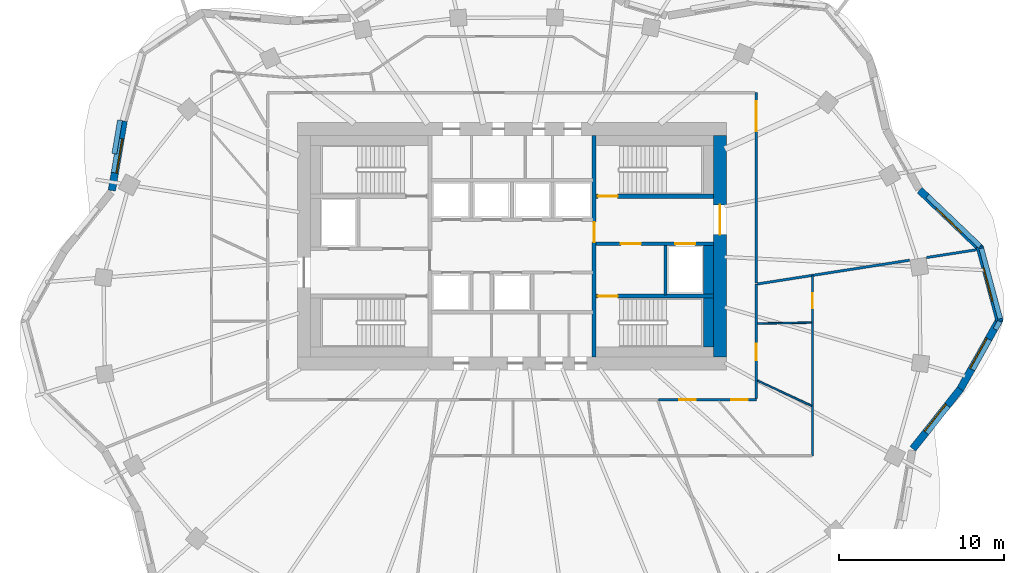
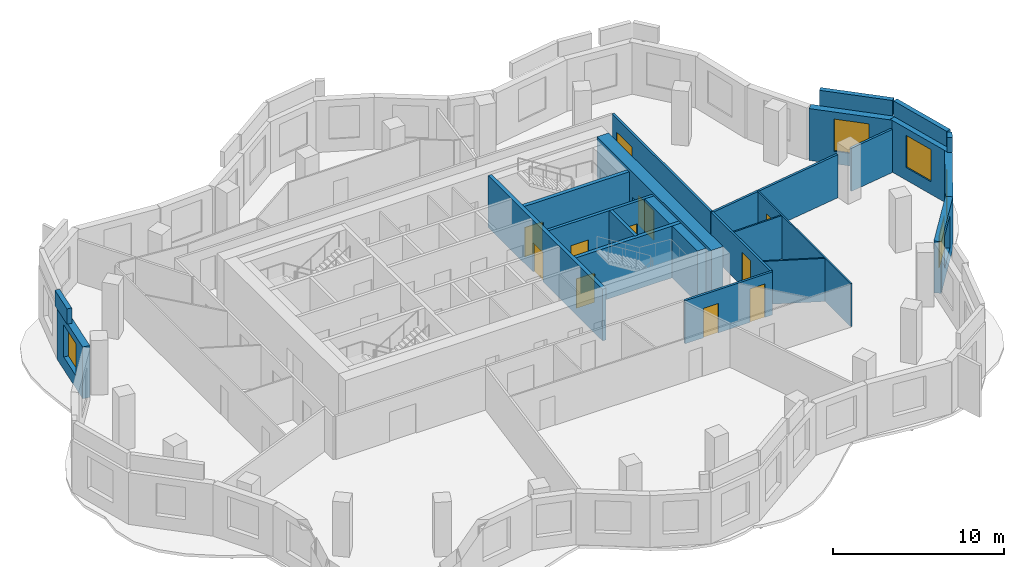
# One storey, part 6 of 9: 25 walls, 11 doors, 5 windows, 16 openings.
"""IFC4 building model written with IfcOpenShell, lengths in metres."""

import ifcopenshell
import ifcopenshell.guid

model = None  # the IFC model being written
_history = None  # IfcOwnerHistory: only IFC2X3 demands one
_inside = {}  # id of a spatial element -> (the spatial element, [elements in it])
_under = {}  # id of a project, library or spatial element -> (it, [spatial elements below it])
_declared = {}  # id of a project -> (the project, [libraries it declares])
_typed = {}  # id of a type object -> (the type object, [elements of that type])
_made_of = {}  # id of a material, layer set ... -> (it, [elements and type objects made of it])


def new_model(schema):
    """Start an empty IFC model of exactly this schema.

    Asked for "IFC4X3", IfcOpenShell would pick the latest addendum, in which some entities
    have other attributes; the version numbers below select the first issue.
    IFC2X3 requires an IfcOwnerHistory on every rooted entity: one is made here for all.
    """
    global model, _history
    if schema == "IFC4X3":
        model = ifcopenshell.file(schema_version=(4, 3, 0, 0))
    else:
        model = ifcopenshell.file(schema=schema)
    _inside.clear()
    _under.clear()
    _declared.clear()
    _typed.clear()
    _made_of.clear()
    _history = None
    if model.schema == "IFC2X3":
        org = make("IfcOrganization", Name="unknown")
        user = make(
            "IfcPersonAndOrganization",
            ThePerson=make("IfcPerson", FamilyName="unknown"),
            TheOrganization=org,
        )
        app = make(
            "IfcApplication",
            ApplicationDeveloper=org,
            Version="unknown",
            ApplicationFullName="unknown",
            ApplicationIdentifier="unknown",
        )
        _history = make(
            "IfcOwnerHistory",
            OwningUser=user,
            OwningApplication=app,
            ChangeAction="ADDED",
            CreationDate=0,
        )
    return model


def make(cls, **values):
    """One entity of the class cls with the attributes given. An attribute that is None is left unset."""
    return model.create_entity(
        cls, **{name: value for name, value in values.items() if value is not None}
    )


def rooted(cls, **values):
    """An entity with a GlobalId (a new one), such as an element, a storey or a relation."""
    return make(cls, GlobalId=ifcopenshell.guid.new(), OwnerHistory=_history, **values)


def si_unit(unit_type, name, prefix=None):
    """IfcSIUnit, for example si_unit("LENGTHUNIT", "METRE", prefix="MILLI")."""
    return make("IfcSIUnit", UnitType=unit_type, Prefix=prefix, Name=name)


def assignment(units):
    """IfcUnitAssignment: the units of a project."""
    return None if units is None else make("IfcUnitAssignment", Units=units)


def point(xyz):
    """IfcCartesianPoint."""
    return None if xyz is None else make("IfcCartesianPoint", Coordinates=xyz)


def direction(xyz):
    """IfcDirection."""
    return None if xyz is None else make("IfcDirection", DirectionRatios=xyz)


def frame(location, z_axis=None, x_axis=None):
    """IfcAxis2Placement3D, a coordinate frame: its origin and axes. An axis left out is left unset."""
    return make(
        "IfcAxis2Placement3D",
        Location=point(location),
        Axis=direction(z_axis),
        RefDirection=direction(x_axis),
    )


def frame_2d(location, x_axis=None):
    """IfcAxis2Placement2D, a coordinate frame in the plane: its origin and x axis."""
    return make(
        "IfcAxis2Placement2D", Location=point(location), RefDirection=direction(x_axis)
    )


def origin():
    """The frame at (0, 0, 0) with its axes left unset."""
    return frame((0.0, 0.0, 0.0))


def place(relative_to, where):
    """IfcLocalPlacement: puts the frame where relative to a parent placement (None: the world)."""
    return make(
        "IfcLocalPlacement", PlacementRelTo=relative_to, RelativePlacement=where
    )


def context(
    kind, dimensions, precision=None, world=None, true_north=None, identifier=None
):
    """IfcGeometricRepresentationContext, for example the 3D "Model" context."""
    return make(
        "IfcGeometricRepresentationContext",
        ContextIdentifier=identifier,
        ContextType=kind,
        CoordinateSpaceDimension=dimensions,
        Precision=precision,
        WorldCoordinateSystem=world,
        TrueNorth=true_north,
    )


def subcontext(parent, identifier, kind, view, scale=None):
    """IfcGeometricRepresentationSubContext, for example "Body" below "Model"."""
    return make(
        "IfcGeometricRepresentationSubContext",
        ContextIdentifier=identifier,
        ContextType=kind,
        ParentContext=parent,
        TargetScale=scale,
        TargetView=view,
    )


def project(units=None, contexts=None):
    """IfcProject with its units and contexts."""
    return rooted(
        "IfcProject",
        Name="project",
        RepresentationContexts=contexts,
        UnitsInContext=assignment(units),
    )


def spatial(cls, under=None, at=None, **own):
    """A site, building, storey or space (cls), placed at a placement, below another one or the project."""
    s = rooted(cls, ObjectPlacement=at, **own)
    if under is not None:
        _under.setdefault(under.id(), (under, []))[1].append(s)
    return s


def profile(cls, at=None, kind="AREA", **sizes):
    """A parametric profile (cls). Its sizes go by their IFC names, for example OverallWidth=200.0."""
    return make(cls, ProfileType=kind, Position=at, **sizes)


def rectangle(**sizes):
    """IfcRectangleProfileDef."""
    return profile("IfcRectangleProfileDef", **sizes)


def extrude(swept, where, along, depth):
    """IfcExtrudedAreaSolid: the profile swept, set in the frame where, extruded along a direction by depth."""
    return make(
        "IfcExtrudedAreaSolid",
        SweptArea=swept,
        Position=where,
        ExtrudedDirection=direction(along),
        Depth=depth,
    )


def shape(context_of_items, identifier, shape_type, items):
    """IfcShapeRepresentation: the items that make up one representation, for example the "Body"."""
    return make(
        "IfcShapeRepresentation",
        ContextOfItems=context_of_items,
        RepresentationIdentifier=identifier,
        RepresentationType=shape_type,
        Items=items,
    )


def material(Name=None, Category=None):
    """IfcMaterial."""
    return make("IfcMaterial", Name=Name, Category=Category)


def layer(
    of_material, thickness, ventilated=None, Name=None, Category=None, Priority=None
):
    """IfcMaterialLayer: one layer of a wall or slab, of a material (None: an air gap)."""
    return make(
        "IfcMaterialLayer",
        Material=of_material,
        LayerThickness=thickness,
        IsVentilated=ventilated,
        Name=Name,
        Category=Category,
        Priority=Priority,
    )


def layer_set(layers, Name=None):
    """IfcMaterialLayerSet."""
    return make("IfcMaterialLayerSet", MaterialLayers=layers, LayerSetName=Name)


def made_of(thing, what):
    """Note that an element or type object is made of a material, layer set ...; save() writes the relation."""
    if what is not None:
        _made_of.setdefault(what.id(), (what, []))[1].append(thing)
    return thing


def type_object(cls, material=None, **own):
    """A type object (cls), such as IfcWallType, which elements share."""
    return made_of(rooted(cls, **own), material)


def element(
    cls,
    number,
    at=None,
    inside=None,
    cuts=None,
    type_object=None,
    material=None,
    context=None,
    identifier="Body",
    shape_type=None,
    held_by="IfcProductDefinitionShape",
    body=None,
    shapes=None,
    **own,
):
    """One element of the class cls, such as IfcWall. Its Tag is "e" and its number.

    at: its placement. inside: the storey or other place that contains it. cuts: it is an
    opening in that element (IfcRelVoidsElement). A single representation is given by context,
    identifier, shape_type and body (its items); several are given by shapes. held_by: the class
    of the entity that holds the representations. save() writes the other relations.
    """
    e = rooted(cls, Tag="e%d" % number, ObjectPlacement=at, **own)
    if body is not None:
        shapes = [shape(context, identifier, shape_type, body)]
    if shapes is not None:
        e.Representation = make(held_by, Representations=shapes)
    if inside is not None:
        _inside.setdefault(inside.id(), (inside, []))[1].append(e)
    if cuts is not None:
        rooted(
            "IfcRelVoidsElement", RelatingBuildingElement=cuts, RelatedOpeningElement=e
        )
    if type_object is not None:
        _typed.setdefault(type_object.id(), (type_object, []))[1].append(e)
    return made_of(e, material)


def fill(opening, filler):
    """IfcRelFillsElement: the door or window that sits in an opening."""
    return rooted(
        "IfcRelFillsElement",
        RelatingOpeningElement=opening,
        RelatedBuildingElement=filler,
    )


def aggregate(whole, parts):
    """IfcRelAggregates: a whole, such as a stair, and the parts it consists of."""
    return rooted("IfcRelAggregates", RelatingObject=whole, RelatedObjects=parts)


def save(model, path):
    """Write the relations noted so far, then the file.

    IfcRelAggregates (storeys below a building ...), IfcRelContainedInSpatialStructure (elements
    in a storey), IfcRelDefinesByType, IfcRelAssociatesMaterial and IfcRelDeclares: one each for
    every whole, place, type object, material and project.
    """
    for whole, parts in _under.values():
        aggregate(whole, parts)
    for where, things in _inside.values():
        rooted(
            "IfcRelContainedInSpatialStructure",
            RelatedElements=things,
            RelatingStructure=where,
        )
    for kind, things in _typed.values():
        rooted("IfcRelDefinesByType", RelatedObjects=things, RelatingType=kind)
    for what, things in _made_of.values():
        rooted("IfcRelAssociatesMaterial", RelatedObjects=things, RelatingMaterial=what)
    for by, libraries in _declared.values():
        rooted("IfcRelDeclares", RelatingContext=by, RelatedDefinitions=libraries)
    model.write(path)


model = new_model("IFC4")

# Units and contexts
model_context = context("Model", 3, precision=1e-05, world=origin(), true_north=direction((0.0, 1.0)))
body_context = subcontext(model_context, "Body", "Model", "MODEL_VIEW")
ifc_project = project(units=[si_unit("LENGTHUNIT", "METRE"), si_unit("AREAUNIT", "SQUARE_METRE"), si_unit("VOLUMEUNIT", "CUBIC_METRE"), si_unit("PLANEANGLEUNIT", "RADIAN"), si_unit("MASSUNIT", "GRAM", prefix="KILO")], contexts=[model_context])

# Site, building, storey
site_placement = place(None, origin())
site = spatial("IfcSite", under=ifc_project, at=site_placement, CompositionType="ELEMENT")
building_placement = place(site_placement, origin())
building = spatial("IfcBuilding", under=site, at=building_placement, Name="Rubra Terraces Tower", CompositionType="ELEMENT")
storey_placement = place(building_placement, frame((0.0, 0.0, 248.699951171875)))
storey = spatial("IfcBuildingStorey", under=building, at=storey_placement, Name="L61", CompositionType="ELEMENT", Elevation=248.699951171875)

# Wall, opening, window
ifc_material_1 = material(Name="Brick masonry red-brown", Category="masonry")
ifc_layer_1 = layer(ifc_material_1, 0.449951171875)
ifc_layer_set_1 = layer_set([ifc_layer_1], Name="Brick masonry red-brown")
wall_type_1 = type_object("IfcWallType", Name="Brick facade wall 450", PredefinedType="SOLIDWALL", material=ifc_layer_set_1)
wall_1_placement = place(storey_placement, frame((29.539794921875, -0.05810546875, 0.0), z_axis=(0.0, 0.0, 1.0), x_axis=(-0.258581372102, 0.96598947924, 0.0)))
wall_1 = element("IfcWall", 1, at=wall_1_placement, inside=storey, type_object=wall_type_1, Name="Facade wall L61 bay 1", PredefinedType="SOLIDWALL", context=body_context, shape_type="SweptSolid", body=[
    extrude(rectangle(XDim=4.68017578125, YDim=0.449951171875, at=frame_2d((2.340087890625, 0.0))), origin(), (0.0, 0.0, 1.0), 3.699951171875),
])
opening_1_placement = place(wall_1_placement, frame((1.2900390625, 0.0, 0.89990234375)))
opening_1 = element("IfcOpeningElement", 2, at=opening_1_placement, cuts=wall_1, Name="Opening W1B", PredefinedType="OPENING", context=body_context, shape_type="SweptSolid", body=[
    extrude(rectangle(XDim=2.10009765625, YDim=2.300048828125, at=frame_2d((1.050048828125, 1.14990234375))), frame((0.0, 0.23486328125, 0.0), z_axis=(0.0, -1.0, 0.0), x_axis=(1.0, 0.0, 0.0)), (0.0, 0.0, 1.0), 0.469970703125),
])
ifc_material_2 = material(Name="Clear glass in aluminium frame", Category="aluminium")
window_type = type_object("IfcWindowType", Name="Fixed deep-set window tall storey 2100 x 2300", PartitioningType="SINGLE_PANEL", PredefinedType="WINDOW", material=ifc_material_2)
window_1_placement = place(opening_1_placement, origin())
window_1 = element("IfcWindow", 3, at=window_1_placement, inside=storey, type_object=window_type, Name="Window L61 bay 1", OverallHeight=2.300048828125, OverallWidth=2.10009765625, PartitioningType="SINGLE_PANEL", PredefinedType="WINDOW", context=body_context, shape_type="SweptSolid", body=[
    extrude(rectangle(XDim=2.10009765625, YDim=2.300048828125, at=frame_2d((1.050048828125, 1.14990234375))), frame((0.0, 0.135009765625, 0.0), z_axis=(0.0, -1.0, 0.0), x_axis=(1.0, 0.0, 0.0)), (0.0, 0.0, 1.0), 0.06005859375),
])
fill(opening_1, window_1)

wall_2_placement = place(storey_placement, frame((28.38720703125, 4.362548828125, 0.0), z_axis=(0.0, 0.0, 1.0), x_axis=(-0.722717697728, 0.691143349379, 0.0)))
wall_2 = element("IfcWall", 4, at=wall_2_placement, inside=storey, type_object=wall_type_1, Name="Facade wall L61 bay 2", PredefinedType="SOLIDWALL", context=body_context, shape_type="SweptSolid", body=[
    extrude(rectangle(XDim=5.103271484375, YDim=0.449951171875, at=frame_2d((2.5517578125, 0.0))), origin(), (0.0, 0.0, 1.0), 3.699951171875),
])
opening_2_placement = place(wall_2_placement, frame((1.501708984375, 0.0, 0.89990234375)))
opening_2 = element("IfcOpeningElement", 5, at=opening_2_placement, cuts=wall_2, Name="Opening W1B", PredefinedType="OPENING", context=body_context, shape_type="SweptSolid", body=[
    extrude(rectangle(XDim=2.10009765625, YDim=2.300048828125, at=frame_2d((1.050048828125, 1.14990234375))), frame((0.0, 0.23486328125, 0.0), z_axis=(0.0, -1.0, 0.0), x_axis=(1.0, 0.0, 0.0)), (0.0, 0.0, 1.0), 0.469970703125),
])
window_2_placement = place(opening_2_placement, origin())
window_2 = element("IfcWindow", 6, at=window_2_placement, inside=storey, type_object=window_type, Name="Window L61 bay 2", OverallHeight=2.300048828125, OverallWidth=2.10009765625, PartitioningType="SINGLE_PANEL", PredefinedType="WINDOW", context=body_context, shape_type="SweptSolid", body=[
    extrude(rectangle(XDim=2.10009765625, YDim=2.300048828125, at=frame_2d((1.050048828125, 1.14990234375))), frame((0.0, 0.135009765625, 0.0), z_axis=(0.0, -1.0, 0.0), x_axis=(1.0, 0.0, 0.0)), (0.0, 0.0, 1.0), 0.06005859375),
])
fill(opening_2, window_2)

wall_3_placement = place(storey_placement, frame((-23.524169921875, 12.0830078125, 0.0), z_axis=(0.0, 0.0, 1.0), x_axis=(-0.167445072349, -0.985881406532, 0.0)))
wall_3 = element("IfcWall", 7, at=wall_3_placement, inside=storey, type_object=wall_type_1, Name="Facade wall L61 bay 18", PredefinedType="SOLIDWALL", context=body_context, shape_type="SweptSolid", body=[
    extrude(rectangle(XDim=4.27490234375, YDim=0.449951171875, at=frame_2d((2.137451171875, 0.0))), origin(), (0.0, 0.0, 1.0), 3.699951171875),
])
opening_3_placement = place(wall_3_placement, frame((1.08740234375, 0.0, 0.89990234375)))
opening_3 = element("IfcOpeningElement", 8, at=opening_3_placement, cuts=wall_3, Name="Opening W1B", PredefinedType="OPENING", context=body_context, shape_type="SweptSolid", body=[
    extrude(rectangle(XDim=2.10009765625, YDim=2.300048828125, at=frame_2d((1.050048828125, 1.14990234375))), frame((0.0, 0.23486328125, 0.0), z_axis=(0.0, -1.0, 0.0), x_axis=(1.0, 0.0, 0.0)), (0.0, 0.0, 1.0), 0.469970703125),
])
window_3_placement = place(opening_3_placement, origin())
window_3 = element("IfcWindow", 9, at=window_3_placement, inside=storey, type_object=window_type, Name="Window L61 bay 18", OverallHeight=2.300048828125, OverallWidth=2.10009765625, PartitioningType="SINGLE_PANEL", PredefinedType="WINDOW", context=body_context, shape_type="SweptSolid", body=[
    extrude(rectangle(XDim=2.10009765625, YDim=2.300048828125, at=frame_2d((1.050048828125, 1.14990234375))), frame((0.0, 0.135009765625, 0.0), z_axis=(0.0, -1.0, 0.0), x_axis=(1.0, 0.0, 0.0)), (0.0, 0.0, 1.0), 0.06005859375),
])
fill(opening_3, window_3)

wall_4_placement = place(storey_placement, frame((24.2822265625, -7.773681640625, 0.0), z_axis=(0.0, 0.0, 1.0), x_axis=(0.621735490397, 0.783227285008, 0.0)))
wall_4 = element("IfcWall", 10, at=wall_4_placement, inside=storey, type_object=wall_type_1, Name="Facade wall L61 bay 39", PredefinedType="SOLIDWALL", context=body_context, shape_type="SweptSolid", body=[
    extrude(rectangle(XDim=4.62451171875, YDim=0.449951171875, at=frame_2d((2.312255859375, 0.0))), origin(), (0.0, 0.0, 1.0), 3.699951171875),
])
opening_4_placement = place(wall_4_placement, frame((1.26220703125, 0.0, 0.89990234375)))
opening_4 = element("IfcOpeningElement", 11, at=opening_4_placement, cuts=wall_4, Name="Opening W1B", PredefinedType="OPENING", context=body_context, shape_type="SweptSolid", body=[
    extrude(rectangle(XDim=2.10009765625, YDim=2.300048828125, at=frame_2d((1.050048828125, 1.14990234375))), frame((0.0, 0.23486328125, 0.0), z_axis=(0.0, -1.0, 0.0), x_axis=(1.0, 0.0, 0.0)), (0.0, 0.0, 1.0), 0.469970703125),
])
window_4_placement = place(opening_4_placement, origin())
window_4 = element("IfcWindow", 12, at=window_4_placement, inside=storey, type_object=window_type, Name="Window L61 bay 39", OverallHeight=2.300048828125, OverallWidth=2.10009765625, PartitioningType="SINGLE_PANEL", PredefinedType="WINDOW", context=body_context, shape_type="SweptSolid", body=[
    extrude(rectangle(XDim=2.10009765625, YDim=2.300048828125, at=frame_2d((1.050048828125, 1.14990234375))), frame((0.0, 0.135009765625, 0.0), z_axis=(0.0, -1.0, 0.0), x_axis=(1.0, 0.0, 0.0)), (0.0, 0.0, 1.0), 0.06005859375),
])
fill(opening_4, window_4)

wall_5_placement = place(storey_placement, frame((27.138427734375, -4.180908203125, 0.0), z_axis=(0.0, 0.0, 1.0), x_axis=(0.491588303761, 0.870827732451, 0.0)))
wall_5 = element("IfcWall", 13, at=wall_5_placement, inside=storey, type_object=wall_type_1, Name="Facade wall L61 bay 40", PredefinedType="SOLIDWALL", context=body_context, shape_type="SweptSolid", body=[
    extrude(rectangle(XDim=4.924072265625, YDim=0.449951171875, at=frame_2d((2.4619140625, 0.0))), origin(), (0.0, 0.0, 1.0), 3.699951171875),
])
opening_5_placement = place(wall_5_placement, frame((1.412109375, 0.0, 0.89990234375)))
opening_5 = element("IfcOpeningElement", 14, at=opening_5_placement, cuts=wall_5, Name="Opening W1B", PredefinedType="OPENING", context=body_context, shape_type="SweptSolid", body=[
    extrude(rectangle(XDim=2.10009765625, YDim=2.300048828125, at=frame_2d((1.050048828125, 1.14990234375))), frame((0.0, 0.23486328125, 0.0), z_axis=(0.0, -1.0, 0.0), x_axis=(1.0, 0.0, 0.0)), (0.0, 0.0, 1.0), 0.469970703125),
])
window_5_placement = place(opening_5_placement, origin())
window_5 = element("IfcWindow", 15, at=window_5_placement, inside=storey, type_object=window_type, Name="Window L61 bay 40", OverallHeight=2.300048828125, OverallWidth=2.10009765625, PartitioningType="SINGLE_PANEL", PredefinedType="WINDOW", context=body_context, shape_type="SweptSolid", body=[
    extrude(rectangle(XDim=2.10009765625, YDim=2.300048828125, at=frame_2d((1.050048828125, 1.14990234375))), frame((0.0, 0.135009765625, 0.0), z_axis=(0.0, -1.0, 0.0), x_axis=(1.0, 0.0, 0.0)), (0.0, 0.0, 1.0), 0.06005859375),
])
fill(opening_5, window_5)

# Walls
ifc_layer_2 = layer(ifc_material_1, 0.300048828125)
ifc_layer_set_2 = layer_set([ifc_layer_2], Name="Brick masonry red-brown")
wall_type_2 = type_object("IfcWallType", Name="Brick parapet 300", PredefinedType="PARAPET", material=ifc_layer_set_2)
for number, where, z_axis, x_axis, name in (
    (16, (29.57275390625, 0.1083984375, 3.900146484375), (0.0, 0.0, 1.0), (-0.258523195294, 0.96600505045, 0.0), "Parapet L61 bay 1"),
    (17, (28.36083984375, 4.491455078125, 3.900146484375), (0.0, 0.0, 1.0), (-0.722694709068, 0.691167387457, 0.0), "Parapet L61 bay 2"),
):
    element("IfcWall", number, at=place(storey_placement, frame(where, z_axis=z_axis, x_axis=x_axis)), inside=storey, type_object=wall_type_2, Name=name, PredefinedType="PARAPET", context=body_context, shape_type="SweptSolid", body=[
        extrude(rectangle(XDim=4.4140625, YDim=0.300048828125, at=frame_2d((2.20703125, 0.0))), origin(), (0.0, 0.0, 1.0), 1.099853515625),
    ])
wall_6_placement = place(storey_placement, frame((-23.7451171875, 12.125, 3.900146484375), z_axis=(0.0, 0.0, 1.0), x_axis=(-0.16743218322, -0.985883595574, 0.0)))
element("IfcWall", 18, at=wall_6_placement, inside=storey, type_object=wall_type_2, Name="Parapet L61 bay 18", PredefinedType="PARAPET", context=body_context, shape_type="SweptSolid", body=[
    extrude(rectangle(XDim=2.048583984375, YDim=0.300048828125, at=frame_2d((1.0244140625, 0.0))), origin(), (0.0, 0.0, 1.0), 1.099853515625),
])
wall_7_placement = place(storey_placement, frame((29.27880859375, -0.541748046875, 3.900146484375), z_axis=(0.0, 0.0, 1.0), x_axis=(0.491912136679, 0.870644847103, 0.0)))
element("IfcWall", 19, at=wall_7_placement, inside=storey, type_object=wall_type_2, Name="Parapet L61 bay 40", PredefinedType="PARAPET", context=body_context, shape_type="SweptSolid", body=[
    extrude(rectangle(XDim=0.554443359375, YDim=0.300048828125, at=frame_2d((0.27734375, 0.0))), origin(), (0.0, 0.0, 1.0), 1.099853515625),
])

# Wall, opening, door
ifc_material_3 = material(Name="Concrete C50", Category="concrete")
ifc_layer_3 = layer(ifc_material_3, 0.800048828125)
ifc_layer_set_3 = layer_set([ifc_layer_3], Name="Concrete C50")
wall_type_3 = type_object("IfcWallType", Name="CORE WALL 800 C50", PredefinedType="SHEAR", material=ifc_layer_set_3)
wall_8_placement = place(storey_placement, frame((12.60009765625, -2.199951171875, 0.0), z_axis=(0.0, 0.0, 1.0), x_axis=(0.0, 1.0, 0.0)))
wall_8 = element("IfcWall", 20, at=wall_8_placement, inside=storey, type_object=wall_type_3, Name="CORE WALL E L61", PredefinedType="SHEAR", context=body_context, shape_type="SweptSolid", body=[
    extrude(rectangle(XDim=13.39990234375, YDim=0.800048828125, at=frame_2d((6.699951171875, 0.0))), origin(), (0.0, 0.0, 1.0), 3.900146484375),
])
opening_6_placement = place(wall_8_placement, frame((7.39990234375, 0.0, 0.0)))
opening_6 = element("IfcOpeningElement", 21, at=opening_6_placement, cuts=wall_8, Name="Opening L61.C02", PredefinedType="OPENING", context=body_context, shape_type="SweptSolid", body=[
    extrude(rectangle(XDim=1.800048828125, YDim=2.10009765625, at=frame_2d((0.89990234375, 1.050048828125))), frame((0.0, 0.409912109375, 0.0), z_axis=(0.0, -1.0, 0.0), x_axis=(1.0, 0.0, 0.0)), (0.0, 0.0, 1.0), 0.820068359375),
])
ifc_material_4 = material(Name="Painted steel", Category="steel")
door_type_1 = type_object("IfcDoorType", Name="Fire door 1800x2100 double", OperationType="NOTDEFINED", PredefinedType="DOOR", material=ifc_material_4)
door_1_placement = place(opening_6_placement, origin())
door_1 = element("IfcDoor", 22, at=door_1_placement, inside=storey, type_object=door_type_1, Name="Core entrance door FF2", OperationType="DOUBLE_DOOR_SINGLE_SWING", OverallHeight=2.10009765625, OverallWidth=1.800048828125, PredefinedType="DOOR", context=body_context, shape_type="SweptSolid", body=[
    extrude(rectangle(XDim=1.800048828125, YDim=2.10009765625, at=frame_2d((0.89990234375, 1.050048828125))), frame((0.0, 0.02490234375, 0.0), z_axis=(0.0, -1.0, 0.0), x_axis=(1.0, 0.0, 0.0)), (0.0, 0.0, 1.0), 0.050048828125),
])
fill(opening_6, door_1)

# Wall, openings, doors
ifc_material_5 = material(Name="Plasterboard on steel stud, mineral wool infill", Category="steel")
ifc_layer_4 = layer(ifc_material_5, 0.14990234375)
ifc_layer_set_4 = layer_set([ifc_layer_4], Name="Plasterboard on steel stud, mineral wool infill")
wall_type_4 = type_object("IfcWallType", Name="CORRIDOR PARTITION 150", PredefinedType="PARTITIONING", material=ifc_layer_set_4)
wall_9_placement = place(storey_placement, frame((8.887451171875, -4.800048828125, 0.0), z_axis=(0.0, 0.0, 1.0), x_axis=(1.0, 0.0, 0.0)))
wall_9 = element("IfcWall", 23, at=wall_9_placement, inside=storey, type_object=wall_type_4, Name="PARTITION", PredefinedType="PARTITIONING", context=body_context, shape_type="SweptSolid", body=[
    extrude(rectangle(XDim=5.91259765625, YDim=0.14990234375, at=frame_2d((2.956298828125, 0.0))), origin(), (0.0, 0.0, 1.0), 3.083984375),
])
opening_7_placement = place(wall_9_placement, frame((1.2470703125, 0.0, 0.0)))
opening_7 = element("IfcOpeningElement", 24, at=opening_7_placement, cuts=wall_9, Name="Opening 61-106", PredefinedType="OPENING", context=body_context, shape_type="SweptSolid", body=[
    extrude(rectangle(XDim=1.0, YDim=2.10009765625, at=frame_2d((0.5, 1.050048828125))), frame((0.0, 0.0849609375, 0.0), z_axis=(0.0, -1.0, 0.0), x_axis=(1.0, 0.0, 0.0)), (0.0, 0.0, 1.0), 0.169921875),
])
opening_8_placement = place(wall_9_placement, frame((4.39990234375, 0.0, 0.0)))
opening_8 = element("IfcOpeningElement", 25, at=opening_8_placement, cuts=wall_9, Name="Opening 61-108", PredefinedType="OPENING", context=body_context, shape_type="SweptSolid", body=[
    extrude(rectangle(XDim=1.0, YDim=2.39990234375, at=frame_2d((0.5, 1.199951171875))), frame((0.0, 0.0849609375, 0.0), z_axis=(0.0, -1.0, 0.0), x_axis=(1.0, 0.0, 0.0)), (0.0, 0.0, 1.0), 0.169921875),
])
ifc_material_6 = material(Name="Glazed aluminium meeting door leaf", Category="aluminium")
door_type_2 = type_object("IfcDoorType", Name="MEETING ROOM GLAZED DOOR 1000 X 2400", OperationType="SINGLE_SWING_LEFT", PredefinedType="DOOR", material=ifc_material_6)
door_2_placement = place(opening_8_placement, origin())
door_2 = element("IfcDoor", 26, at=door_2_placement, inside=storey, type_object=door_type_2, Name="DOOR 61-108", OperationType="SINGLE_SWING_RIGHT", OverallHeight=2.39990234375, OverallWidth=1.0, PredefinedType="DOOR", context=body_context, shape_type="SweptSolid", body=[
    extrude(rectangle(XDim=1.0, YDim=2.39990234375, at=frame_2d((0.5, 1.199951171875))), frame((0.0, 0.02490234375, 0.0), z_axis=(0.0, -1.0, 0.0), x_axis=(1.0, 0.0, 0.0)), (0.0, 0.0, 1.0), 0.050048828125),
])
fill(opening_8, door_2)
ifc_material_7 = material(Name="Painted timber door leaf", Category="wood")
door_type_3 = type_object("IfcDoorType", Name="ROOM DOOR 1000 X 2100", OperationType="SINGLE_SWING_LEFT", PredefinedType="DOOR", material=ifc_material_7)
door_3_placement = place(opening_7_placement, origin())
door_3 = element("IfcDoor", 27, at=door_3_placement, inside=storey, type_object=door_type_3, Name="DOOR 61-106", OperationType="SINGLE_SWING_RIGHT", OverallHeight=2.10009765625, OverallWidth=1.0, PredefinedType="DOOR", context=body_context, shape_type="SweptSolid", body=[
    extrude(rectangle(XDim=1.0, YDim=2.10009765625, at=frame_2d((0.5, 1.050048828125))), frame((0.0, 0.02490234375, 0.0), z_axis=(0.0, -1.0, 0.0), x_axis=(1.0, 0.0, 0.0)), (0.0, 0.0, 1.0), 0.050048828125),
])
fill(opening_7, door_3)

# Wall, opening, door
wall_10_placement = place(storey_placement, frame((14.800048828125, -4.72509765625, 0.0), z_axis=(0.0, 0.0, 1.0), x_axis=(0.0, 1.0, 0.0)))
wall_10 = element("IfcWall", 28, at=wall_10_placement, inside=storey, type_object=wall_type_4, Name="PARTITION", PredefinedType="PARTITIONING", context=body_context, shape_type="SweptSolid", body=[
    extrude(rectangle(XDim=6.924072265625, YDim=0.14990234375, at=frame_2d((3.4619140625, 0.0))), origin(), (0.0, 0.0, 1.0), 3.083984375),
])
opening_9_placement = place(wall_10_placement, frame((2.325927734375, 0.0, 0.0)))
opening_9 = element("IfcOpeningElement", 29, at=opening_9_placement, cuts=wall_10, Name="Opening 61-109", PredefinedType="OPENING", context=body_context, shape_type="SweptSolid", body=[
    extrude(rectangle(XDim=1.0, YDim=2.39990234375, at=frame_2d((0.5, 1.199951171875))), frame((0.0, 0.0849609375, 0.0), z_axis=(0.0, -1.0, 0.0), x_axis=(1.0, 0.0, 0.0)), (0.0, 0.0, 1.0), 0.169921875),
])
door_4_placement = place(opening_9_placement, origin())
door_4 = element("IfcDoor", 30, at=door_4_placement, inside=storey, type_object=door_type_2, Name="DOOR 61-109", OperationType="SINGLE_SWING_RIGHT", OverallHeight=2.39990234375, OverallWidth=1.0, PredefinedType="DOOR", context=body_context, shape_type="SweptSolid", body=[
    extrude(rectangle(XDim=1.0, YDim=2.39990234375, at=frame_2d((0.5, 1.199951171875))), frame((0.0, 0.02490234375, 0.0), z_axis=(0.0, -1.0, 0.0), x_axis=(1.0, 0.0, 0.0)), (0.0, 0.0, 1.0), 0.050048828125),
])
fill(opening_9, door_4)

wall_11_placement = place(storey_placement, frame((14.800048828125, 2.27392578125, 0.0), z_axis=(0.0, 0.0, 1.0), x_axis=(0.0, 1.0, 0.0)))
wall_11 = element("IfcWall", 31, at=wall_11_placement, inside=storey, type_object=wall_type_4, Name="PARTITION", PredefinedType="PARTITIONING", context=body_context, shape_type="SweptSolid", body=[
    extrude(rectangle(XDim=11.526123046875, YDim=0.14990234375, at=frame_2d((5.76318359375, 0.0))), origin(), (0.0, 0.0, 1.0), 3.083984375),
])
opening_10_placement = place(wall_11_placement, frame((9.199951171875, 0.0, 0.0)))
opening_10 = element("IfcOpeningElement", 32, at=opening_10_placement, cuts=wall_11, Name="Opening 61-111", PredefinedType="OPENING", context=body_context, shape_type="SweptSolid", body=[
    extrude(rectangle(XDim=1.800048828125, YDim=2.10009765625, at=frame_2d((0.89990234375, 1.050048828125))), frame((0.0, 0.0849609375, 0.0), z_axis=(0.0, -1.0, 0.0), x_axis=(1.0, 0.0, 0.0)), (0.0, 0.0, 1.0), 0.169921875),
])
ifc_material_8 = material(Name="Painted timber door leaf, double", Category="wood")
door_type_4 = type_object("IfcDoorType", Name="ROOM DOUBLE DOOR 1800 X 2100", OperationType="DOUBLE_DOOR_SINGLE_SWING", PredefinedType="DOOR", material=ifc_material_8)
door_5_placement = place(opening_10_placement, origin())
door_5 = element("IfcDoor", 33, at=door_5_placement, inside=storey, type_object=door_type_4, Name="DOOR 61-111", OperationType="DOUBLE_DOOR_SINGLE_SWING", OverallHeight=2.10009765625, OverallWidth=1.800048828125, PredefinedType="DOOR", context=body_context, shape_type="SweptSolid", body=[
    extrude(rectangle(XDim=1.800048828125, YDim=2.10009765625, at=frame_2d((0.89990234375, 1.050048828125))), frame((0.0, 0.02490234375, 0.0), z_axis=(0.0, -1.0, 0.0), x_axis=(1.0, 0.0, 0.0)), (0.0, 0.0, 1.0), 0.050048828125),
])
fill(opening_10, door_5)

# Walls
ifc_material_9 = material(Name="Concrete C40", Category="concrete")
ifc_layer_5 = layer(ifc_material_9, 0.60009765625)
ifc_layer_set_5 = layer_set([ifc_layer_5], Name="Concrete C40")
wall_type_5 = type_object("IfcWallType", Name="Core lining wall 600 concrete", PredefinedType="SOLIDWALL", material=ifc_layer_set_5)
wall_12_placement = place(storey_placement, frame((11.89990234375, 4.550048828125, 0.0), z_axis=(0.0, 0.0, 1.0), x_axis=(0.0, -1.0, 0.0)))
element("IfcWall", 34, at=wall_12_placement, inside=storey, type_object=wall_type_5, Name="CORE LINING WALL L61", PredefinedType="SOLIDWALL", context=body_context, shape_type="SweptSolid", body=[
    extrude(rectangle(XDim=3.0, YDim=0.60009765625, at=frame_2d((1.5, 0.0))), origin(), (0.0, 0.0, 1.0), 3.699951171875),
])
wall_13_placement = place(storey_placement, frame((11.89990234375, 1.35009765625, 0.0), z_axis=(0.0, 0.0, 1.0), x_axis=(0.0, -1.0, 0.0)))
element("IfcWall", 35, at=wall_13_placement, inside=storey, type_object=wall_type_5, Name="CORE LINING WALL L61", PredefinedType="SOLIDWALL", context=body_context, shape_type="SweptSolid", body=[
    extrude(rectangle(XDim=2.9501953125, YDim=0.60009765625, at=frame_2d((1.47509765625, 0.0))), origin(), (0.0, 0.0, 1.0), 3.699951171875),
])

# Wall, openings, doors
ifc_material_10 = material(Name="Concrete C30", Category="concrete")
ifc_layer_6 = layer(ifc_material_10, 0.199951171875)
ifc_layer_set_6 = layer_set([ifc_layer_6], Name="Concrete C30")
wall_type_6 = type_object("IfcWallType", Name="Core wall 200 concrete", PredefinedType="SOLIDWALL", material=ifc_layer_set_6)
wall_14_placement = place(storey_placement, frame((12.199951171875, 4.64990234375, 0.0), z_axis=(0.0, 0.0, 1.0), x_axis=(-1.0, 0.0, 0.0)))
wall_14 = element("IfcWall", 36, at=wall_14_placement, inside=storey, type_object=wall_type_6, Name="STAIR WALL L61", PredefinedType="SOLIDWALL", context=body_context, shape_type="SweptSolid", body=[
    extrude(rectangle(XDim=7.099853515625, YDim=0.199951171875, at=frame_2d((3.5498046875, 0.0))), origin(), (0.0, 0.0, 1.0), 3.699951171875),
])
opening_11_placement = place(wall_14_placement, frame((4.39990234375, 0.0, 0.0)))
opening_11 = element("IfcOpeningElement", 37, at=opening_11_placement, cuts=wall_14, Name="Opening L61.C06", PredefinedType="OPENING", context=body_context, shape_type="SweptSolid", body=[
    extrude(rectangle(XDim=1.199951171875, YDim=2.10009765625, at=frame_2d((0.60009765625, 1.050048828125))), frame((0.0, 0.10986328125, 0.0), z_axis=(0.0, -1.0, 0.0), x_axis=(1.0, 0.0, 0.0)), (0.0, 0.0, 1.0), 0.219970703125),
])
opening_12_placement = place(wall_14_placement, frame((1.10009765625, 0.0, 0.0)))
opening_12 = element("IfcOpeningElement", 38, at=opening_12_placement, cuts=wall_14, Name="Opening L61.C12", PredefinedType="OPENING", context=body_context, shape_type="SweptSolid", body=[
    extrude(rectangle(XDim=1.199951171875, YDim=2.10009765625, at=frame_2d((0.60009765625, 1.050048828125))), frame((0.0, 0.10986328125, 0.0), z_axis=(0.0, -1.0, 0.0), x_axis=(1.0, 0.0, 0.0)), (0.0, 0.0, 1.0), 0.219970703125),
])
door_type_5 = type_object("IfcDoorType", Name="Fire door 1200x2100 single", OperationType="NOTDEFINED", PredefinedType="DOOR", material=ifc_material_4)
door_6_placement = place(opening_11_placement, origin())
door_6 = element("IfcDoor", 39, at=door_6_placement, inside=storey, type_object=door_type_5, Name="Stair vestibule door S4", OperationType="SINGLE_SWING_RIGHT", OverallHeight=2.10009765625, OverallWidth=1.199951171875, PredefinedType="DOOR", context=body_context, shape_type="SweptSolid", body=[
    extrude(rectangle(XDim=1.199951171875, YDim=2.10009765625, at=frame_2d((0.60009765625, 1.050048828125))), frame((0.0, 0.02490234375, 0.0), z_axis=(0.0, -1.0, 0.0), x_axis=(1.0, 0.0, 0.0)), (0.0, 0.0, 1.0), 0.050048828125),
])
fill(opening_11, door_6)
ifc_material_11 = material(Name="Stainless steel", Category="steel")
door_type_6 = type_object("IfcDoorType", Name="Lift landing door 1200x2100", OperationType="NOTDEFINED", PredefinedType="DOOR", material=ifc_material_11)
door_7_placement = place(opening_12_placement, origin())
door_7 = element("IfcDoor", 40, at=door_7_placement, inside=storey, type_object=door_type_6, Name="Landing door FF2", OperationType="SLIDING_TO_RIGHT", OverallHeight=2.10009765625, OverallWidth=1.199951171875, PredefinedType="DOOR", context=body_context, shape_type="SweptSolid", body=[
    extrude(rectangle(XDim=1.199951171875, YDim=2.10009765625, at=frame_2d((0.60009765625, 1.050048828125))), frame((0.0, 0.02490234375, 0.0), z_axis=(0.0, -1.0, 0.0), x_axis=(1.0, 0.0, 0.0)), (0.0, 0.0, 1.0), 0.050048828125),
])
fill(opening_12, door_7)

# Wall
wall_15_placement = place(storey_placement, frame((9.300048828125, 4.550048828125, 0.0), z_axis=(0.0, 0.0, 1.0), x_axis=(0.0, -1.0, 0.0)))
element("IfcWall", 41, at=wall_15_placement, inside=storey, type_object=wall_type_6, Name="STAIR WALL L61", PredefinedType="SOLIDWALL", context=body_context, shape_type="SweptSolid", body=[
    extrude(rectangle(XDim=3.0, YDim=0.199951171875, at=frame_2d((1.5, 0.0))), origin(), (0.0, 0.0, 1.0), 3.699951171875),
])

# Wall, opening, door
ifc_material_12 = material(Name="Plasterboard on steel stud", Category="steel")
ifc_layer_7 = layer(ifc_material_12, 0.10009765625)
ifc_layer_set_7 = layer_set([ifc_layer_7], Name="Plasterboard on steel stud")
wall_type_7 = type_object("IfcWallType", Name="ROOM PARTITION 100", PredefinedType="PARTITIONING", material=ifc_layer_set_7)
wall_16_placement = place(storey_placement, frame((18.199951171875, 2.709716796875, 0.0), z_axis=(0.0, 0.0, 1.0), x_axis=(0.0, -1.0, 0.0)))
wall_16 = element("IfcWall", 42, at=wall_16_placement, inside=storey, type_object=wall_type_7, Name="PARTITION", PredefinedType="PARTITIONING", context=body_context, shape_type="SweptSolid", body=[
    extrude(rectangle(XDim=10.90966796875, YDim=0.10009765625, at=frame_2d((5.454833984375, 0.0))), origin(), (0.0, 0.0, 1.0), 3.083984375),
])
opening_13_placement = place(wall_16_placement, frame((1.056884765625, 0.0, 0.0)))
opening_13 = element("IfcOpeningElement", 43, at=opening_13_placement, cuts=wall_16, Name="Opening 61-110", PredefinedType="OPENING", context=body_context, shape_type="SweptSolid", body=[
    extrude(rectangle(XDim=0.89990234375, YDim=2.10009765625, at=frame_2d((0.449951171875, 1.050048828125))), frame((0.0, 0.06005859375, 0.0), z_axis=(0.0, -1.0, 0.0), x_axis=(1.0, 0.0, 0.0)), (0.0, 0.0, 1.0), 0.1201171875),
])
door_type_7 = type_object("IfcDoorType", Name="ROOM DOOR 900 X 2100", OperationType="SINGLE_SWING_LEFT", PredefinedType="DOOR", material=ifc_material_7)
door_8_placement = place(opening_13_placement, origin())
door_8 = element("IfcDoor", 44, at=door_8_placement, inside=storey, type_object=door_type_7, Name="DOOR 61-110", OperationType="SINGLE_SWING_LEFT", OverallHeight=2.10009765625, OverallWidth=0.89990234375, PredefinedType="DOOR", context=body_context, shape_type="SweptSolid", body=[
    extrude(rectangle(XDim=0.89990234375, YDim=2.10009765625, at=frame_2d((0.449951171875, 1.050048828125))), frame((0.0, 0.02490234375, 0.0), z_axis=(0.0, -1.0, 0.0), x_axis=(1.0, 0.0, 0.0)), (0.0, 0.0, 1.0), 0.050048828125),
])
fill(opening_13, door_8)

# Walls
wall_17_placement = place(storey_placement, frame((14.867919921875, -3.6435546875, 0.0), z_axis=(0.0, 0.0, 1.0), x_axis=(0.906769022566, -0.421627726455, 0.0)))
element("IfcWall", 45, at=wall_17_placement, inside=storey, type_object=wall_type_7, Name="PARTITION", PredefinedType="PARTITIONING", context=body_context, shape_type="SweptSolid", body=[
    extrude(rectangle(XDim=3.624755859375, YDim=0.10009765625, at=frame_2d((1.8125, 0.0))), origin(), (0.0, 0.0, 1.0), 3.083984375),
])
wall_18_placement = place(storey_placement, frame((14.875, -0.184814453125, 0.0), z_axis=(0.0, 0.0, 1.0), x_axis=(0.999854310099, 0.017069228941, 0.0)))
element("IfcWall", 46, at=wall_18_placement, inside=storey, type_object=wall_type_7, Name="PARTITION", PredefinedType="PARTITIONING", context=body_context, shape_type="SweptSolid", body=[
    extrude(rectangle(XDim=3.275390625, YDim=0.10009765625, at=frame_2d((1.6376953125, 0.0))), origin(), (0.0, 0.0, 1.0), 3.083984375),
])
ifc_layer_8 = layer(ifc_material_12, 0.14990234375)
ifc_layer_set_8 = layer_set([ifc_layer_8], Name="Plasterboard on steel stud")
wall_type_8 = type_object("IfcWallType", Name="ROOM PARTITION 150", PredefinedType="PARTITIONING", material=ifc_layer_set_8)
wall_19_placement = place(storey_placement, frame((28.1396484375, 4.282470703125, 0.0), z_axis=(0.0, 0.0, 1.0), x_axis=(-0.98801998677, -0.154325972356, 0.0)))
element("IfcWall", 47, at=wall_19_placement, inside=storey, type_object=wall_type_8, Name="PARTITION", PredefinedType="PARTITIONING", context=body_context, shape_type="SweptSolid", body=[
    extrude(rectangle(XDim=3.072265625, YDim=0.14990234375, at=frame_2d((1.5361328125, 0.0))), origin(), (0.0, 0.0, 1.0), 3.083984375),
])
wall_20_placement = place(storey_placement, frame((24.07666015625, 3.647705078125, 0.0), z_axis=(0.0, 0.0, 1.0), x_axis=(-0.988026771809, -0.154282527163, 0.0)))
element("IfcWall", 48, at=wall_20_placement, inside=storey, type_object=wall_type_8, Name="PARTITION", PredefinedType="PARTITIONING", context=body_context, shape_type="SweptSolid", body=[
    extrude(rectangle(XDim=9.314208984375, YDim=0.14990234375, at=frame_2d((4.6572265625, 0.0))), origin(), (0.0, 0.0, 1.0), 3.083984375),
])

# Wall, opening, door
ifc_layer_9 = layer(ifc_material_9, 0.25)
ifc_layer_set_9 = layer_set([ifc_layer_9], Name="Concrete C40")
wall_type_9 = type_object("IfcWallType", Name="Stair enclosure wall 250 concrete", PredefinedType="SOLIDWALL", material=ifc_layer_set_9)
wall_21_placement = place(storey_placement, frame((12.199951171875, 7.52490234375, 0.0), z_axis=(0.0, 0.0, 1.0), x_axis=(-1.0, 0.0, 0.0)))
wall_21 = element("IfcWall", 49, at=wall_21_placement, inside=storey, type_object=wall_type_9, Name="STAIR WALL L61", PredefinedType="SOLIDWALL", context=body_context, shape_type="SweptSolid", body=[
    extrude(rectangle(XDim=7.099853515625, YDim=0.25, at=frame_2d((3.5498046875, 0.0))), origin(), (0.0, 0.0, 1.0), 3.699951171875),
])
opening_14_placement = place(wall_21_placement, frame((5.800048828125, 0.0, 0.0)))
opening_14 = element("IfcOpeningElement", 50, at=opening_14_placement, cuts=wall_21, Name="Opening L61.C08", PredefinedType="OPENING", context=body_context, shape_type="SweptSolid", body=[
    extrude(rectangle(XDim=1.199951171875, YDim=2.10009765625, at=frame_2d((0.60009765625, 1.050048828125))), frame((0.0, 0.135009765625, 0.0), z_axis=(0.0, -1.0, 0.0), x_axis=(1.0, 0.0, 0.0)), (0.0, 0.0, 1.0), 0.27001953125),
])
door_9_placement = place(opening_14_placement, origin())
door_9 = element("IfcDoor", 51, at=door_9_placement, inside=storey, type_object=door_type_5, Name="Stair door S3", OperationType="SINGLE_SWING_RIGHT", OverallHeight=2.10009765625, OverallWidth=1.199951171875, PredefinedType="DOOR", context=body_context, shape_type="SweptSolid", body=[
    extrude(rectangle(XDim=1.199951171875, YDim=2.10009765625, at=frame_2d((0.60009765625, 1.050048828125))), frame((0.0, 0.02490234375, 0.0), z_axis=(0.0, -1.0, 0.0), x_axis=(1.0, 0.0, 0.0)), (0.0, 0.0, 1.0), 0.050048828125),
])
fill(opening_14, door_9)

wall_22_placement = place(storey_placement, frame((12.199951171875, 1.47509765625, 0.0), z_axis=(0.0, 0.0, 1.0), x_axis=(-1.0, 0.0, 0.0)))
wall_22 = element("IfcWall", 52, at=wall_22_placement, inside=storey, type_object=wall_type_9, Name="STAIR WALL L61", PredefinedType="SOLIDWALL", context=body_context, shape_type="SweptSolid", body=[
    extrude(rectangle(XDim=7.099853515625, YDim=0.25, at=frame_2d((3.5498046875, 0.0))), origin(), (0.0, 0.0, 1.0), 3.699951171875),
])
opening_15_placement = place(wall_22_placement, frame((5.800048828125, 0.0, 0.0)))
opening_15 = element("IfcOpeningElement", 53, at=opening_15_placement, cuts=wall_22, Name="Opening L61.C10", PredefinedType="OPENING", context=body_context, shape_type="SweptSolid", body=[
    extrude(rectangle(XDim=1.199951171875, YDim=2.10009765625, at=frame_2d((0.60009765625, 1.050048828125))), frame((0.0, 0.135009765625, 0.0), z_axis=(0.0, -1.0, 0.0), x_axis=(1.0, 0.0, 0.0)), (0.0, 0.0, 1.0), 0.27001953125),
])
door_10_placement = place(opening_15_placement, origin())
door_10 = element("IfcDoor", 54, at=door_10_placement, inside=storey, type_object=door_type_5, Name="Stair door S4", OperationType="SINGLE_SWING_RIGHT", OverallHeight=2.10009765625, OverallWidth=1.199951171875, PredefinedType="DOOR", context=body_context, shape_type="SweptSolid", body=[
    extrude(rectangle(XDim=1.199951171875, YDim=2.10009765625, at=frame_2d((0.60009765625, 1.050048828125))), frame((0.0, 0.02490234375, 0.0), z_axis=(0.0, -1.0, 0.0), x_axis=(1.0, 0.0, 0.0)), (0.0, 0.0, 1.0), 0.050048828125),
])
fill(opening_15, door_10)

wall_23_placement = place(storey_placement, frame((4.97509765625, 11.199951171875, 0.0), z_axis=(0.0, 0.0, 1.0), x_axis=(0.0, -1.0, 0.0)))
wall_23 = element("IfcWall", 55, at=wall_23_placement, inside=storey, type_object=wall_type_9, Name="CORE LOBBY WALL L61", PredefinedType="SOLIDWALL", context=body_context, shape_type="SweptSolid", body=[
    extrude(rectangle(XDim=13.39990234375, YDim=0.25, at=frame_2d((6.699951171875, 0.0))), origin(), (0.0, 0.0, 1.0), 3.699951171875),
])
opening_16_placement = place(wall_23_placement, frame((5.25, 0.0, 0.0)))
opening_16 = element("IfcOpeningElement", 56, at=opening_16_placement, cuts=wall_23, Name="Opening L61.C04", PredefinedType="OPENING", context=body_context, shape_type="SweptSolid", body=[
    extrude(rectangle(XDim=1.199951171875, YDim=2.10009765625, at=frame_2d((0.60009765625, 1.050048828125))), frame((0.0, 0.135009765625, 0.0), z_axis=(0.0, -1.0, 0.0), x_axis=(1.0, 0.0, 0.0)), (0.0, 0.0, 1.0), 0.27001953125),
])
door_11_placement = place(opening_16_placement, origin())
door_11 = element("IfcDoor", 57, at=door_11_placement, inside=storey, type_object=door_type_5, Name="Firefighting lobby door FF2", OperationType="SINGLE_SWING_RIGHT", OverallHeight=2.10009765625, OverallWidth=1.199951171875, PredefinedType="DOOR", context=body_context, shape_type="SweptSolid", body=[
    extrude(rectangle(XDim=1.199951171875, YDim=2.10009765625, at=frame_2d((0.60009765625, 1.050048828125))), frame((0.0, 0.02490234375, 0.0), z_axis=(0.0, -1.0, 0.0), x_axis=(1.0, 0.0, 0.0)), (0.0, 0.0, 1.0), 0.050048828125),
])
fill(opening_16, door_11)

save(model, "model.ifc")
